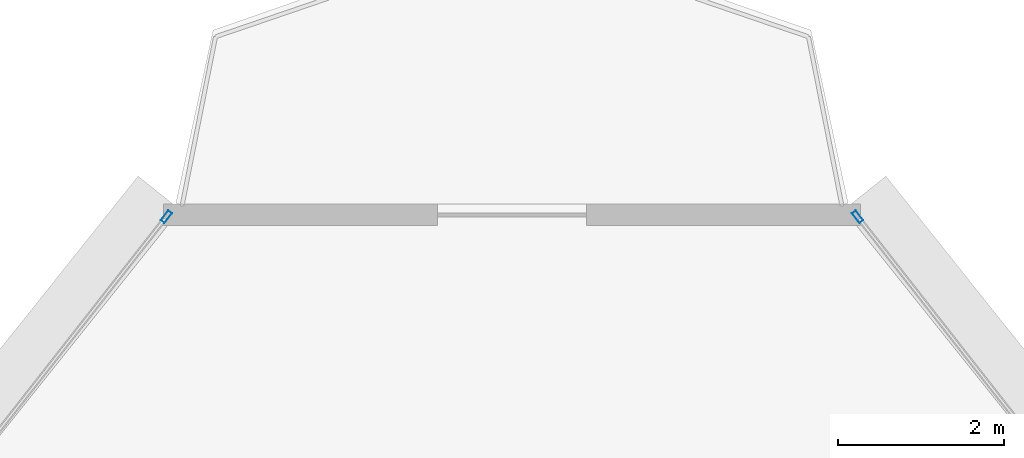
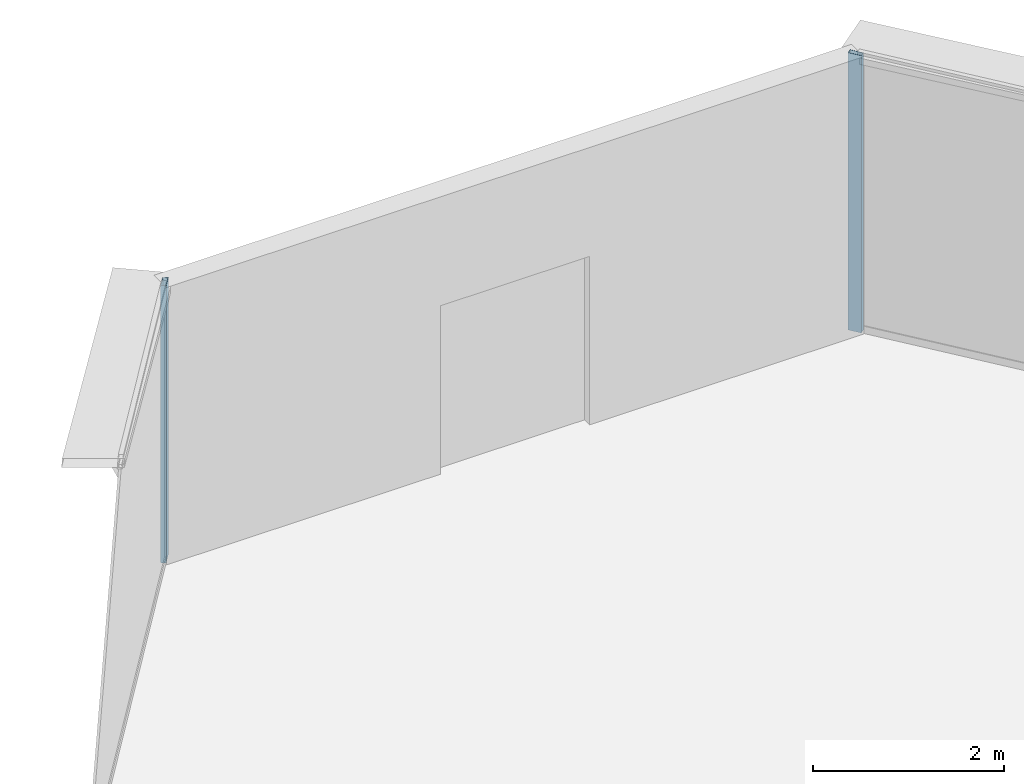
# One storey, part 26 of 37: 2 members, 2 elements without a shape of their own.
"""IFC4 building model written with IfcOpenShell, lengths in metres."""

from ifc_helpers import new_model, si_unit, direction, frame, origin, origin_2d, place, context, subcontext, project, spatial, hollow_rectangle, extrude, source, transform, mapped, material, layer, layer_set, material_profile, profile_set, type_object, element, aggregate, save


model = new_model("IFC4")

# Units and contexts
model_context = context("Model", 3, precision=1e-05, world=origin(), true_north=direction((0.0, 1.0)))
body_context = subcontext(model_context, "Body", "Model", "MODEL_VIEW")
ifc_project = project(units=[si_unit("LENGTHUNIT", "METRE"), si_unit("AREAUNIT", "SQUARE_METRE"), si_unit("VOLUMEUNIT", "CUBIC_METRE"), si_unit("PLANEANGLEUNIT", "RADIAN"), si_unit("MASSUNIT", "GRAM", prefix="KILO"), si_unit("THERMODYNAMICTEMPERATUREUNIT", "KELVIN"), si_unit("POWERUNIT", "WATT")], contexts=[model_context])

# Site, building, storey
site_placement = place(None, origin())
site = spatial("IfcSite", under=ifc_project, at=site_placement, CompositionType="ELEMENT")
building_placement = place(site_placement, origin())
building = spatial("IfcBuilding", under=site, at=building_placement, Name="Yunzhuo Pagoda Commons", CompositionType="ELEMENT")
storey_placement = place(building_placement, frame((0.0, 0.0, 207.56005859375)))
storey = spatial("IfcBuildingStorey", under=building, at=storey_placement, Name="L52", CompositionType="ELEMENT", Elevation=207.56005859375)

# Curtain wall, member
ifc_material = material(Name="Anodized aluminium 6063-T6", Category="aluminium")
ifc_layer = layer(ifc_material, 0.14990234375)
ifc_layer_set = layer_set([ifc_layer], Name="Anodized aluminium 6063-T6")
curtain_wall_type = type_object("IfcCurtainWallType", Name="CW-MID Mid-Zone Ribbon Curtain Wall", PredefinedType="NOTDEFINED", material=ifc_layer_set)
curtain_wall_1_placement = place(storey_placement, origin())
curtain_wall_1 = element("IfcCurtainWall", 1, at=curtain_wall_1_placement, inside=storey, type_object=curtain_wall_type, Name="L52 curtain wall CW-L52-F2B5", PredefinedType="NOTDEFINED")
ifc_material_profile = material_profile(ifc_material, hollow_rectangle(XDim=0.06005859375, YDim=0.14990234375, WallThickness=0.00390625, at=origin_2d()), Name="Anodized aluminium 6063-T6")
ifc_profile_set = profile_set([ifc_material_profile], Name="Anodized aluminium 6063-T6")
member_type = type_object("IfcMemberType", Name="CW-MID-M Mullion RHS 150x60x4", PredefinedType="MULLION", material=ifc_profile_set)
shared_shape = source(origin(), body_context, "Body", "SweptSolid", [
    extrude(hollow_rectangle(XDim=0.06005859375, YDim=0.14990234375, WallThickness=0.00390625, at=origin_2d()), origin(), (0.0, 0.0, 1.0), 3.5400390625),
])
member_1_placement = place(storey_placement, frame((52.17333984375, 82.728759765625, 0.0), z_axis=(0.0, 0.0, 1.0), x_axis=(-0.787150021946, -0.616761577071, 0.0)))
member_1 = element("IfcMember", 2, at=member_1_placement, type_object=member_type, Name="CW mullion 2", PredefinedType="MULLION", context=body_context, shape_type="MappedRepresentation", body=[
    mapped(shared_shape, transform((0.0, 0.0, 0.0), scale=1.0)),
])
aggregate(curtain_wall_1, [member_1])

curtain_wall_2_placement = place(storey_placement, origin())
curtain_wall_2 = element("IfcCurtainWall", 3, at=curtain_wall_2_placement, inside=storey, type_object=curtain_wall_type, Name="L52 curtain wall CW-L52-F3B1", PredefinedType="NOTDEFINED")
member_2_placement = place(storey_placement, frame((43.82666015625, 82.728759765625, 0.0), z_axis=(0.0, 0.0, 1.0), x_axis=(0.787150021946, -0.616761577071, 0.0)))
member_2 = element("IfcMember", 4, at=member_2_placement, type_object=member_type, Name="CW mullion 1", PredefinedType="MULLION", context=body_context, shape_type="MappedRepresentation", body=[
    mapped(shared_shape, transform((0.0, 0.0, 0.0), scale=1.0)),
])
aggregate(curtain_wall_2, [member_2])

save(model, "model.ifc")
